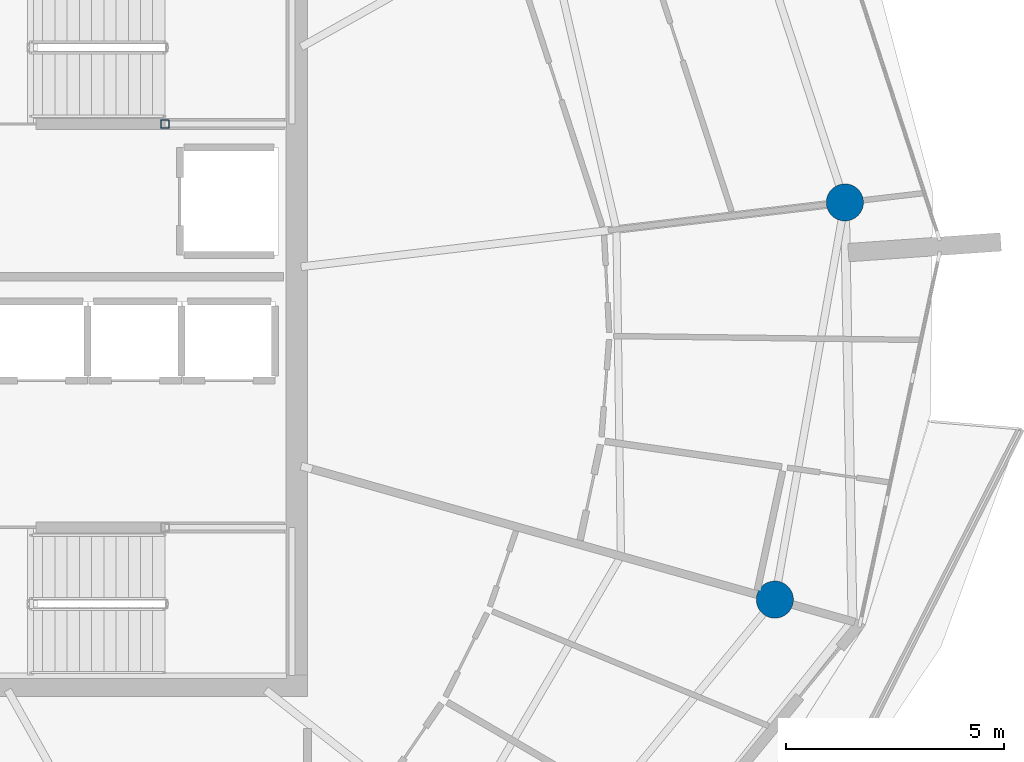
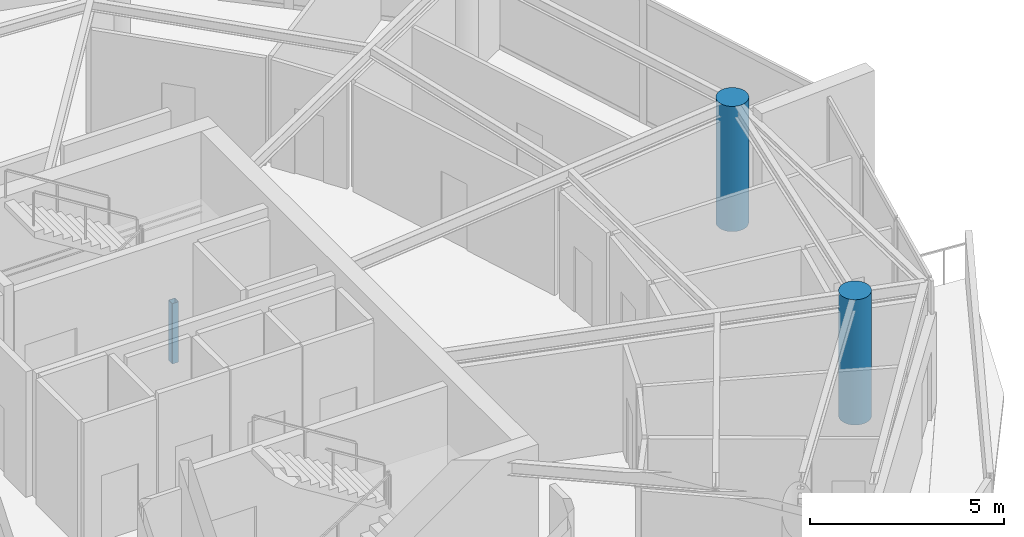
# One storey, part 3 of 22: 3 columns.
"""IFC4 building model written with IfcOpenShell, lengths in metres."""

from ifc_helpers import new_model, si_unit, direction, frame, origin, origin_2d, place, context, subcontext, project, spatial, hollow_rectangle, circle, extrude, material, material_profile, profile_set, type_object, element, save


model = new_model("IFC4")

# Units and contexts
model_context = context("Model", 3, precision=1e-05, world=origin(), true_north=direction((0.0, 1.0)))
body_context = subcontext(model_context, "Body", "Model", "MODEL_VIEW")
ifc_project = project(units=[si_unit("LENGTHUNIT", "METRE"), si_unit("AREAUNIT", "SQUARE_METRE"), si_unit("VOLUMEUNIT", "CUBIC_METRE"), si_unit("PLANEANGLEUNIT", "RADIAN"), si_unit("MASSUNIT", "GRAM", prefix="KILO")], contexts=[model_context])

# Site, building, storey
site_placement = place(None, origin())
site = spatial("IfcSite", under=ifc_project, at=site_placement, CompositionType="ELEMENT")
building_placement = place(site_placement, origin())
building = spatial("IfcBuilding", under=site, at=building_placement, Name="Kazma Halo Residences", CompositionType="ELEMENT")
storey_placement = place(building_placement, frame((0.0, 0.0, 330.5)))
storey = spatial("IfcBuildingStorey", under=building, at=storey_placement, Name="L83", CompositionType="ELEMENT", Elevation=330.5)

# Columns
ifc_material_1 = material(Name="Steel S355", Category="steel")
ifc_material_profile_1 = material_profile(ifc_material_1, hollow_rectangle(XDim=0.199951171875, YDim=0.199951171875, WallThickness=0.010009765625, InnerFilletRadius=0.010009765625, OuterFilletRadius=0.02001953125, at=origin_2d()), Name="SHS200x200x10")
ifc_profile_set_1 = profile_set([ifc_material_profile_1], Name="Steel S355")
column_type_1 = type_object("IfcColumnType", Name="COL-LP-SHS200", PredefinedType="COLUMN", material=ifc_profile_set_1)
column_placement = place(storey_placement, frame((56.280029296875, 46.6201171875, 0.0), z_axis=(0.0, 0.0, 1.0), x_axis=(1.0, 0.0, 0.0)))
element("IfcColumn", 1, at=column_placement, inside=storey, type_object=column_type_1, Name="L83 ST-02 landing pilaster 1", PredefinedType="COLUMN", context=body_context, shape_type="SweptSolid", body=[
    extrude(hollow_rectangle(XDim=0.199951171875, YDim=0.199951171875, WallThickness=0.010009765625, InnerFilletRadius=0.010009765625, OuterFilletRadius=0.02001953125, at=origin_2d()), origin(), (0.0, 0.0, 1.0), 1.89501953125),
])
ifc_material_2 = material(Name="Concrete C60/75", Category="concrete")
ifc_material_profile_2 = material_profile(ifc_material_2, circle(Radius=0.425048828125, at=origin_2d()), Name="CIRC850")
ifc_profile_set_2 = profile_set([ifc_material_profile_2], Name="Concrete C60/75")
column_type_2 = type_object("IfcColumnType", Name="COL-PERIM-850", PredefinedType="COLUMN", material=ifc_profile_set_2)
for number, where, z_axis, x_axis, name in (
    (2, (70.255615234375, 35.723388671875, 0.0), (0.0, 0.0, 1.0), (1.0, 0.0, 0.0), "L83 perimeter ring column P15"),
    (3, (71.8603515625, 44.82421875, 0.0), (0.0, 0.0, 1.0), (1.0, 0.0, 0.0), "L83 perimeter ring column P16"),
):
    element("IfcColumn", number, at=place(storey_placement, frame(where, z_axis=z_axis, x_axis=x_axis)), inside=storey, type_object=column_type_2, Name=name, PredefinedType="COLUMN", context=body_context, shape_type="SweptSolid", body=[
        extrude(circle(Radius=0.425048828125, at=origin_2d()), origin(), (0.0, 0.0, 1.0), 3.93994140625),
    ])

save(model, "model.ifc")
